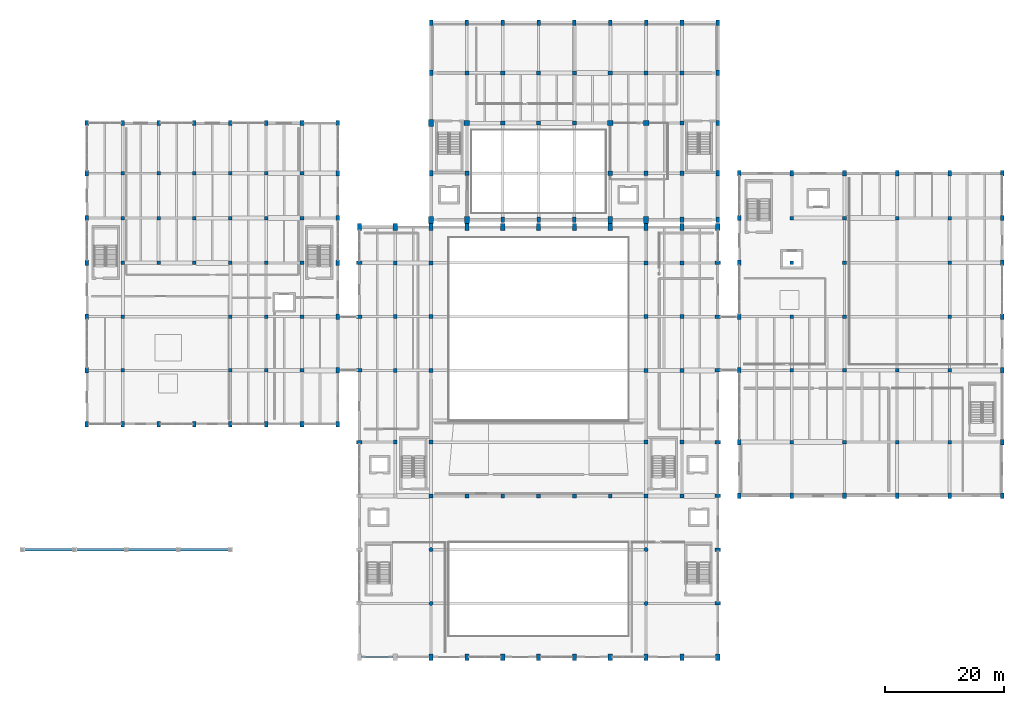
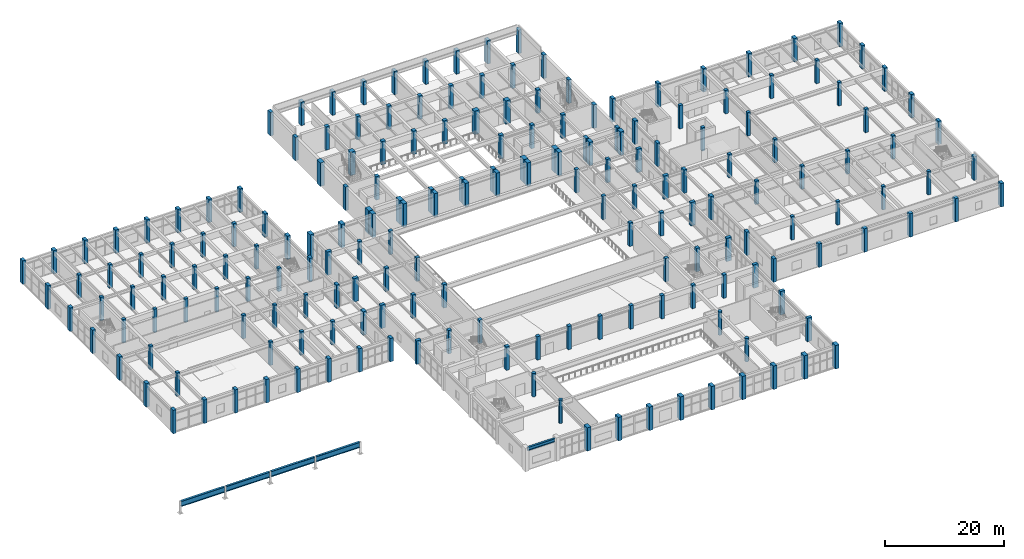
# One storey, part 3 of 85: 193 columns, 5 beams.
"""IFC4 building model written with IfcOpenShell, lengths in metres."""

from ifc_helpers import new_model, si_unit, direction, frame, origin, origin_2d, place, context, subcontext, project, spatial, rectangle, circle, i_section, extrude, material, material_profile, profile_set, type_object, element, save


model = new_model("IFC4")

# Units and contexts
model_context = context("Model", 3, precision=1e-05, world=origin(), true_north=direction((0.0, 1.0)))
body_context = subcontext(model_context, "Body", "Model", "MODEL_VIEW")
ifc_project = project(units=[si_unit("LENGTHUNIT", "METRE"), si_unit("AREAUNIT", "SQUARE_METRE"), si_unit("VOLUMEUNIT", "CUBIC_METRE"), si_unit("PLANEANGLEUNIT", "RADIAN"), si_unit("MASSUNIT", "GRAM", prefix="KILO")], contexts=[model_context])

# Site, building, storey
site_placement = place(None, origin())
site = spatial("IfcSite", under=ifc_project, at=site_placement, CompositionType="ELEMENT")
building_placement = place(site_placement, origin())
building = spatial("IfcBuilding", under=site, at=building_placement, Name="Vaelkrest Opera House", CompositionType="ELEMENT")
storey_placement = place(building_placement, frame((0.0, 0.0, 10.199951171875)))
storey = spatial("IfcBuildingStorey", under=building, at=storey_placement, Name="L02", CompositionType="ELEMENT", Elevation=10.199951171875)

# Columns
ifc_material_1 = material(Name="Concrete C50/60", Category="concrete")
ifc_material_profile_1 = material_profile(ifc_material_1, rectangle(XDim=0.60009765625, YDim=0.60009765625, at=origin_2d()), Name="RC600X600")
ifc_profile_set_1 = profile_set([ifc_material_profile_1], Name="Concrete C50/60")
column_type_1 = type_object("IfcColumnType", Name="C02", PredefinedType="COLUMN", material=ifc_profile_set_1)
for number, where, z_axis, x_axis, name in (
    (1, (-69.60009765625, -7.800048828125, 0.0), (0.0, 0.0, 1.0), (1.0, 0.0, 0.0), "Column COL-V3-L02-1004"),
    (2, (-69.60009765625, 1.199951171875, 0.0), (0.0, 0.0, 1.0), (1.0, 0.0, 0.0), "Column COL-V3-L02-1005"),
    (3, (-69.60009765625, 10.199951171875, 0.0), (0.0, 0.0, 1.0), (1.0, 0.0, 0.0), "Column COL-V3-L02-1006"),
    (4, (-69.60009765625, 17.699951171875, 0.0), (0.0, 0.0, 1.0), (1.0, 0.0, 0.0), "Column COL-V3-L02-1007"),
    (5, (-69.60009765625, 25.199951171875, 0.0), (0.0, 0.0, 1.0), (1.0, 0.0, 0.0), "Column COL-V3-L02-1008"),
    (6, (-63.60009765625, 10.199951171875, 0.0), (0.0, 0.0, 1.0), (1.0, 0.0, 0.0), "Column COL-V3-L02-1011"),
    (7, (-63.60009765625, 17.699951171875, 0.0), (0.0, 0.0, 1.0), (1.0, 0.0, 0.0), "Column COL-V3-L02-1012"),
    (8, (-63.60009765625, 25.199951171875, 0.0), (0.0, 0.0, 1.0), (1.0, 0.0, 0.0), "Column COL-V3-L02-1013"),
    (9, (-57.60009765625, 10.199951171875, 0.0), (0.0, 0.0, 1.0), (1.0, 0.0, 0.0), "Column COL-V3-L02-1016"),
    (10, (-57.60009765625, 17.699951171875, 0.0), (0.0, 0.0, 1.0), (1.0, 0.0, 0.0), "Column COL-V3-L02-1017"),
    (11, (-57.60009765625, 25.199951171875, 0.0), (0.0, 0.0, 1.0), (1.0, 0.0, 0.0), "Column COL-V3-L02-1018"),
    (12, (-51.60009765625, -7.800048828125, 0.0), (0.0, 0.0, 1.0), (1.0, 0.0, 0.0), "Column COL-V3-L02-1021"),
    (13, (-51.60009765625, 1.199951171875, 0.0), (0.0, 0.0, 1.0), (1.0, 0.0, 0.0), "Column COL-V3-L02-1022"),
    (14, (-51.60009765625, 10.199951171875, 0.0), (0.0, 0.0, 1.0), (1.0, 0.0, 0.0), "Column COL-V3-L02-1023"),
    (15, (-51.60009765625, 17.699951171875, 0.0), (0.0, 0.0, 1.0), (1.0, 0.0, 0.0), "Column COL-V3-L02-1024"),
    (16, (-51.60009765625, 25.199951171875, 0.0), (0.0, 0.0, 1.0), (1.0, 0.0, 0.0), "Column COL-V3-L02-1025"),
    (17, (-45.60009765625, -7.800048828125, 0.0), (0.0, 0.0, 1.0), (1.0, 0.0, 0.0), "Column COL-V3-L02-1028"),
    (18, (-45.60009765625, 1.199951171875, 0.0), (0.0, 0.0, 1.0), (1.0, 0.0, 0.0), "Column COL-V3-L02-1029"),
    (19, (-45.60009765625, 10.199951171875, 0.0), (0.0, 0.0, 1.0), (1.0, 0.0, 0.0), "Column COL-V3-L02-1030"),
    (20, (-45.60009765625, 17.699951171875, 0.0), (0.0, 0.0, 1.0), (1.0, 0.0, 0.0), "Column COL-V3-L02-1031"),
    (21, (-45.60009765625, 25.199951171875, 0.0), (0.0, 0.0, 1.0), (1.0, 0.0, 0.0), "Column COL-V3-L02-1032"),
    (22, (-39.60009765625, -7.800048828125, 0.0), (0.0, 0.0, 1.0), (1.0, 0.0, 0.0), "Column COL-V3-L02-1035"),
    (23, (-39.60009765625, 1.199951171875, 0.0), (0.0, 0.0, 1.0), (1.0, 0.0, 0.0), "Column COL-V3-L02-1036"),
    (24, (-39.60009765625, 10.199951171875, 0.0), (0.0, 0.0, 1.0), (1.0, 0.0, 0.0), "Column COL-V3-L02-1037"),
    (25, (-39.60009765625, 17.699951171875, 0.0), (0.0, 0.0, 1.0), (1.0, 0.0, 0.0), "Column COL-V3-L02-1038"),
    (26, (-39.60009765625, 25.199951171875, 0.0), (0.0, 0.0, 1.0), (1.0, 0.0, 0.0), "Column COL-V3-L02-1039"),
    (27, (42.39990234375, -19.800048828125, 0.0), (0.0, 0.0, 1.0), (1.0, 0.0, 0.0), "Column COL-V4-L02-1311"),
    (28, (42.39990234375, -7.800048828125, 0.0), (0.0, 0.0, 1.0), (1.0, 0.0, 0.0), "Column COL-V4-L02-1312"),
    (29, (42.39990234375, 1.199951171875, 0.0), (0.0, 0.0, 1.0), (1.0, 0.0, 0.0), "Column COL-V4-L02-1313"),
    (30, (42.39990234375, 10.199951171875, 0.0), (0.0, 0.0, 1.0), (1.0, 0.0, 0.0), "Column COL-V4-L02-1314"),
    (31, (42.39990234375, 17.699951171875, 0.0), (0.0, 0.0, 1.0), (1.0, 0.0, 0.0), "Column COL-V4-L02-1315"),
    (32, (51.199951171875, -19.800048828125, 0.0), (0.0, 0.0, 1.0), (1.0, 0.0, 0.0), "Column COL-V4-L02-1318"),
    (33, (51.199951171875, -7.800048828125, 0.0), (0.0, 0.0, 1.0), (1.0, 0.0, 0.0), "Column COL-V4-L02-1319"),
    (34, (51.199951171875, 1.199951171875, 0.0), (0.0, 0.0, 1.0), (1.0, 0.0, 0.0), "Column COL-V4-L02-1320"),
    (35, (51.199951171875, 10.199951171875, 0.0), (0.0, 0.0, 1.0), (1.0, 0.0, 0.0), "Column COL-V4-L02-1321"),
    (36, (51.199951171875, 17.699951171875, 0.0), (0.0, 0.0, 1.0), (1.0, 0.0, 0.0), "Column COL-V4-L02-1322"),
    (37, (60.0, -19.800048828125, 0.0), (0.0, 0.0, 1.0), (1.0, 0.0, 0.0), "Column COL-V4-L02-1325"),
    (38, (60.0, -7.800048828125, 0.0), (0.0, 0.0, 1.0), (1.0, 0.0, 0.0), "Column COL-V4-L02-1326"),
    (39, (60.0, 17.699951171875, 0.0), (0.0, 0.0, 1.0), (1.0, 0.0, 0.0), "Column COL-V4-L02-1327"),
    (40, (68.800048828125, -19.800048828125, 0.0), (0.0, 0.0, 1.0), (1.0, 0.0, 0.0), "Column COL-V4-L02-1330"),
    (41, (68.800048828125, -7.800048828125, 0.0), (0.0, 0.0, 1.0), (1.0, 0.0, 0.0), "Column COL-V4-L02-1331"),
    (42, (68.800048828125, 1.199951171875, 0.0), (0.0, 0.0, 1.0), (1.0, 0.0, 0.0), "Column COL-V4-L02-1332"),
    (43, (68.800048828125, 10.199951171875, 0.0), (0.0, 0.0, 1.0), (1.0, 0.0, 0.0), "Column COL-V4-L02-1333"),
    (44, (68.800048828125, 17.699951171875, 0.0), (0.0, 0.0, 1.0), (1.0, 0.0, 0.0), "Column COL-V4-L02-1334"),
):
    element("IfcColumn", number, at=place(storey_placement, frame(where, z_axis=z_axis, x_axis=x_axis)), inside=storey, type_object=column_type_1, Name=name, PredefinedType="COLUMN", context=body_context, shape_type="SweptSolid", body=[
        extrude(rectangle(XDim=0.60009765625, YDim=0.60009765625, at=origin_2d()), origin(), (0.0, 0.0, 1.0), 4.800048828125),
    ])
ifc_material_profile_2 = material_profile(ifc_material_1, rectangle(XDim=0.699951171875, YDim=0.699951171875, at=origin_2d()), Name="RC700X700")
ifc_profile_set_2 = profile_set([ifc_material_profile_2], Name="Concrete C50/60")
column_type_2 = type_object("IfcColumnType", Name="C03", PredefinedType="COLUMN", material=ifc_profile_set_2)
for number, where, z_axis, x_axis, name in (
    (45, (-12.0, 25.199951171875, 0.0), (0.0, 0.0, 1.0), (1.0, 0.0, 0.0), "Column COL-V2-L02-0623"),
    (46, (-12.0, 42.0, 0.0), (0.0, 0.0, 1.0), (1.0, 0.0, 0.0), "Column COL-V2-L02-0625"),
    (47, (-6.0, 33.60009765625, 0.0), (0.0, 0.0, 1.0), (1.0, 0.0, 0.0), "Column COL-V2-L02-0628"),
    (48, (-6.0, 42.0, 0.0), (0.0, 0.0, 1.0), (1.0, 0.0, 0.0), "Column COL-V2-L02-0629"),
    (49, (0.0, 33.60009765625, 0.0), (0.0, 0.0, 1.0), (1.0, 0.0, 0.0), "Column COL-V2-L02-0632"),
    (50, (0.0, 42.0, 0.0), (0.0, 0.0, 1.0), (1.0, 0.0, 0.0), "Column COL-V2-L02-0633"),
    (51, (6.0, 33.60009765625, 0.0), (0.0, 0.0, 1.0), (1.0, 0.0, 0.0), "Column COL-V2-L02-0636"),
    (52, (6.0, 42.0, 0.0), (0.0, 0.0, 1.0), (1.0, 0.0, 0.0), "Column COL-V2-L02-0637"),
    (53, (12.0, 25.199951171875, 0.0), (0.0, 0.0, 1.0), (1.0, 0.0, 0.0), "Column COL-V2-L02-0640"),
    (54, (12.0, 42.0, 0.0), (0.0, 0.0, 1.0), (1.0, 0.0, 0.0), "Column COL-V2-L02-0642"),
    (55, (18.0, 25.199951171875, 0.0), (0.0, 0.0, 1.0), (1.0, 0.0, 0.0), "Column COL-V2-L02-0645"),
    (56, (18.0, 42.0, 0.0), (0.0, 0.0, 1.0), (1.0, 0.0, 0.0), "Column COL-V2-L02-0647"),
    (57, (24.0, 25.199951171875, 0.0), (0.0, 0.0, 1.0), (1.0, 0.0, 0.0), "Column COL-V2-L02-0650"),
    (58, (24.0, 33.60009765625, 0.0), (0.0, 0.0, 1.0), (1.0, 0.0, 0.0), "Column COL-V2-L02-0651"),
    (59, (24.0, 42.0, 0.0), (0.0, 0.0, 1.0), (1.0, 0.0, 0.0), "Column COL-V2-L02-0652"),
):
    element("IfcColumn", number, at=place(storey_placement, frame(where, z_axis=z_axis, x_axis=x_axis)), inside=storey, type_object=column_type_2, Name=name, PredefinedType="COLUMN", context=body_context, shape_type="SweptSolid", body=[
        extrude(rectangle(XDim=0.699951171875, YDim=0.699951171875, at=origin_2d()), origin(), (0.0, 0.0, 1.0), 4.800048828125),
    ])
ifc_material_profile_3 = material_profile(ifc_material_1, rectangle(XDim=0.89990234375, YDim=0.89990234375, at=origin_2d()), Name="RC900X900")
ifc_profile_set_3 = profile_set([ifc_material_profile_3], Name="Concrete C50/60")
column_type_3 = type_object("IfcColumnType", Name="C05", PredefinedType="COLUMN", material=ifc_profile_set_3)
for number, where, z_axis, x_axis, name in (
    (60, (-12.0, 33.60009765625, 0.0), (0.0, 0.0, 1.0), (1.0, 0.0, 0.0), "Column COL-V2-L02-0624"),
    (61, (12.0, 33.60009765625, 0.0), (0.0, 0.0, 1.0), (1.0, 0.0, 0.0), "Column COL-V2-L02-0641"),
    (62, (18.0, 33.60009765625, 0.0), (0.0, 0.0, 1.0), (1.0, 0.0, 0.0), "Column COL-V2-L02-0646"),
):
    element("IfcColumn", number, at=place(storey_placement, frame(where, z_axis=z_axis, x_axis=x_axis)), inside=storey, type_object=column_type_3, Name=name, PredefinedType="COLUMN", context=body_context, shape_type="SweptSolid", body=[
        extrude(rectangle(XDim=0.89990234375, YDim=0.89990234375, at=origin_2d()), origin(), (0.0, 0.0, 1.0), 4.800048828125),
    ])
ifc_material_profile_4 = material_profile(ifc_material_1, rectangle(XDim=0.60009765625, YDim=0.89990234375, at=origin_2d()), Name="RC600X900")
ifc_profile_set_4 = profile_set([ifc_material_profile_4], Name="Concrete C50/60")
column_type_4 = type_object("IfcColumnType", Name="C06", PredefinedType="COLUMN", material=ifc_profile_set_4)
for number, where, z_axis, x_axis, name in (
    (63, (-30.0, -19.800048828125, 0.0), (0.0, 0.0, 1.0), (0.0, 1.0, 0.0), "Column COL-V1-L02-0208"),
    (64, (-30.0, -7.800048828125, 0.0), (0.0, 0.0, 1.0), (0.0, 1.0, 0.0), "Column COL-V1-L02-0209"),
    (65, (-30.0, 1.199951171875, 0.0), (0.0, 0.0, 1.0), (0.0, 1.0, 0.0), "Column COL-V1-L02-0210"),
    (66, (-30.0, 10.199951171875, 0.0), (0.0, 0.0, 1.0), (0.0, 1.0, 0.0), "Column COL-V1-L02-0211"),
    (67, (30.0, -46.800048828125, 0.0), (0.0, 0.0, 1.0), (0.0, 1.0, 0.0), "Column COL-V1-L02-0261"),
    (68, (30.0, -37.800048828125, 0.0), (0.0, 0.0, 1.0), (0.0, 1.0, 0.0), "Column COL-V1-L02-0262"),
    (69, (30.0, -28.800048828125, 0.0), (0.0, 0.0, 1.0), (0.0, 1.0, 0.0), "Column COL-V1-L02-0263"),
    (70, (30.0, -19.800048828125, 0.0), (0.0, 0.0, 1.0), (0.0, 1.0, 0.0), "Column COL-V1-L02-0264"),
    (71, (30.0, -7.800048828125, 0.0), (0.0, 0.0, 1.0), (0.0, 1.0, 0.0), "Column COL-V1-L02-0265"),
    (72, (30.0, 1.199951171875, 0.0), (0.0, 0.0, 1.0), (0.0, 1.0, 0.0), "Column COL-V1-L02-0266"),
    (73, (30.0, 10.199951171875, 0.0), (0.0, 0.0, 1.0), (0.0, 1.0, 0.0), "Column COL-V1-L02-0267"),
    (74, (-18.0, 25.199951171875, 0.0), (0.0, 0.0, 1.0), (1.0, 0.0, 0.0), "Column COL-V2-L02-0618"),
    (75, (-18.0, 42.0, 0.0), (0.0, 0.0, 1.0), (1.0, 0.0, 0.0), "Column COL-V2-L02-0620"),
    (76, (-18.0, 50.39990234375, 0.0), (0.0, 0.0, 1.0), (1.0, 0.0, 0.0), "Column COL-V2-L02-0621"),
    (77, (-12.0, 50.39990234375, 0.0), (0.0, 0.0, 1.0), (1.0, 0.0, 0.0), "Column COL-V2-L02-0626"),
    (78, (-6.0, 17.39990234375, 0.0), (0.0, 0.0, 1.0), (1.0, 0.0, 0.0), "Column COL-V2-L02-0627"),
    (79, (-6.0, 50.39990234375, 0.0), (0.0, 0.0, 1.0), (1.0, 0.0, 0.0), "Column COL-V2-L02-0630"),
    (80, (0.0, 17.39990234375, 0.0), (0.0, 0.0, 1.0), (1.0, 0.0, 0.0), "Column COL-V2-L02-0631"),
    (81, (0.0, 50.39990234375, 0.0), (0.0, 0.0, 1.0), (1.0, 0.0, 0.0), "Column COL-V2-L02-0634"),
    (82, (6.0, 17.39990234375, 0.0), (0.0, 0.0, 1.0), (1.0, 0.0, 0.0), "Column COL-V2-L02-0635"),
    (83, (6.0, 50.39990234375, 0.0), (0.0, 0.0, 1.0), (1.0, 0.0, 0.0), "Column COL-V2-L02-0638"),
    (84, (12.0, 50.39990234375, 0.0), (0.0, 0.0, 1.0), (1.0, 0.0, 0.0), "Column COL-V2-L02-0643"),
    (85, (18.0, 50.39990234375, 0.0), (0.0, 0.0, 1.0), (1.0, 0.0, 0.0), "Column COL-V2-L02-0648"),
    (86, (24.0, 17.39990234375, 0.0), (0.0, 0.0, 1.0), (1.0, 0.0, 0.0), "Column COL-V2-L02-0649"),
    (87, (24.0, 50.39990234375, 0.0), (0.0, 0.0, 1.0), (1.0, 0.0, 0.0), "Column COL-V2-L02-0653"),
    (88, (30.0, 17.39990234375, 0.0), (0.0, 0.0, 1.0), (1.0, 0.0, 0.0), "Column COL-V2-L02-0654"),
    (89, (30.0, 25.199951171875, 0.0), (0.0, 0.0, 1.0), (1.0, 0.0, 0.0), "Column COL-V2-L02-0655"),
    (90, (30.0, 33.60009765625, 0.0), (0.0, 0.0, 1.0), (1.0, 0.0, 0.0), "Column COL-V2-L02-0656"),
    (91, (30.0, 42.0, 0.0), (0.0, 0.0, 1.0), (1.0, 0.0, 0.0), "Column COL-V2-L02-0657"),
    (92, (30.0, 50.39990234375, 0.0), (0.0, 0.0, 1.0), (1.0, 0.0, 0.0), "Column COL-V2-L02-0658"),
    (93, (-75.60009765625, -16.800048828125, 0.0), (0.0, 0.0, 1.0), (1.0, 0.0, 0.0), "Column COL-V3-L02-0996"),
    (94, (-75.60009765625, -7.800048828125, 0.0), (0.0, 0.0, 1.0), (1.0, 0.0, 0.0), "Column COL-V3-L02-0997"),
    (95, (-75.60009765625, 1.199951171875, 0.0), (0.0, 0.0, 1.0), (1.0, 0.0, 0.0), "Column COL-V3-L02-0998"),
    (96, (-75.60009765625, 10.199951171875, 0.0), (0.0, 0.0, 1.0), (1.0, 0.0, 0.0), "Column COL-V3-L02-0999"),
    (97, (-75.60009765625, 17.699951171875, 0.0), (0.0, 0.0, 1.0), (1.0, 0.0, 0.0), "Column COL-V3-L02-1000"),
    (98, (-75.60009765625, 25.199951171875, 0.0), (0.0, 0.0, 1.0), (1.0, 0.0, 0.0), "Column COL-V3-L02-1001"),
    (99, (-75.60009765625, 33.60009765625, 0.0), (0.0, 0.0, 1.0), (1.0, 0.0, 0.0), "Column COL-V3-L02-1002"),
    (100, (-69.60009765625, -16.800048828125, 0.0), (0.0, 0.0, 1.0), (1.0, 0.0, 0.0), "Column COL-V3-L02-1003"),
    (101, (-69.60009765625, 33.60009765625, 0.0), (0.0, 0.0, 1.0), (1.0, 0.0, 0.0), "Column COL-V3-L02-1009"),
    (102, (-63.60009765625, -16.800048828125, 0.0), (0.0, 0.0, 1.0), (1.0, 0.0, 0.0), "Column COL-V3-L02-1010"),
    (103, (-63.60009765625, 33.60009765625, 0.0), (0.0, 0.0, 1.0), (1.0, 0.0, 0.0), "Column COL-V3-L02-1014"),
    (104, (-57.60009765625, -16.800048828125, 0.0), (0.0, 0.0, 1.0), (1.0, 0.0, 0.0), "Column COL-V3-L02-1015"),
    (105, (-57.60009765625, 33.60009765625, 0.0), (0.0, 0.0, 1.0), (1.0, 0.0, 0.0), "Column COL-V3-L02-1019"),
    (106, (-51.60009765625, -16.800048828125, 0.0), (0.0, 0.0, 1.0), (1.0, 0.0, 0.0), "Column COL-V3-L02-1020"),
    (107, (-51.60009765625, 33.60009765625, 0.0), (0.0, 0.0, 1.0), (1.0, 0.0, 0.0), "Column COL-V3-L02-1026"),
    (108, (-45.60009765625, -16.800048828125, 0.0), (0.0, 0.0, 1.0), (1.0, 0.0, 0.0), "Column COL-V3-L02-1027"),
    (109, (-45.60009765625, 33.60009765625, 0.0), (0.0, 0.0, 1.0), (1.0, 0.0, 0.0), "Column COL-V3-L02-1033"),
    (110, (-39.60009765625, -16.800048828125, 0.0), (0.0, 0.0, 1.0), (1.0, 0.0, 0.0), "Column COL-V3-L02-1034"),
    (111, (-39.60009765625, 33.60009765625, 0.0), (0.0, 0.0, 1.0), (1.0, 0.0, 0.0), "Column COL-V3-L02-1040"),
    (112, (-33.60009765625, -16.800048828125, 0.0), (0.0, 0.0, 1.0), (1.0, 0.0, 0.0), "Column COL-V3-L02-1041"),
    (113, (-33.60009765625, -7.800048828125, 0.0), (0.0, 0.0, 1.0), (1.0, 0.0, 0.0), "Column COL-V3-L02-1042"),
    (114, (-33.60009765625, 1.199951171875, 0.0), (0.0, 0.0, 1.0), (1.0, 0.0, 0.0), "Column COL-V3-L02-1043"),
    (115, (-33.60009765625, 10.199951171875, 0.0), (0.0, 0.0, 1.0), (1.0, 0.0, 0.0), "Column COL-V3-L02-1044"),
    (116, (-33.60009765625, 17.699951171875, 0.0), (0.0, 0.0, 1.0), (1.0, 0.0, 0.0), "Column COL-V3-L02-1045"),
    (117, (-33.60009765625, 25.199951171875, 0.0), (0.0, 0.0, 1.0), (1.0, 0.0, 0.0), "Column COL-V3-L02-1046"),
    (118, (-33.60009765625, 33.60009765625, 0.0), (0.0, 0.0, 1.0), (1.0, 0.0, 0.0), "Column COL-V3-L02-1047"),
    (119, (33.60009765625, -28.800048828125, 0.0), (0.0, 0.0, 1.0), (1.0, 0.0, 0.0), "Column COL-V4-L02-1303"),
    (120, (33.60009765625, -19.800048828125, 0.0), (0.0, 0.0, 1.0), (1.0, 0.0, 0.0), "Column COL-V4-L02-1304"),
    (121, (33.60009765625, -7.800048828125, 0.0), (0.0, 0.0, 1.0), (1.0, 0.0, 0.0), "Column COL-V4-L02-1305"),
    (122, (33.60009765625, 1.199951171875, 0.0), (0.0, 0.0, 1.0), (1.0, 0.0, 0.0), "Column COL-V4-L02-1306"),
    (123, (33.60009765625, 10.199951171875, 0.0), (0.0, 0.0, 1.0), (1.0, 0.0, 0.0), "Column COL-V4-L02-1307"),
    (124, (33.60009765625, 17.699951171875, 0.0), (0.0, 0.0, 1.0), (1.0, 0.0, 0.0), "Column COL-V4-L02-1308"),
    (125, (33.60009765625, 25.199951171875, 0.0), (0.0, 0.0, 1.0), (1.0, 0.0, 0.0), "Column COL-V4-L02-1309"),
    (126, (42.39990234375, -28.800048828125, 0.0), (0.0, 0.0, 1.0), (1.0, 0.0, 0.0), "Column COL-V4-L02-1310"),
    (127, (42.39990234375, 25.199951171875, 0.0), (0.0, 0.0, 1.0), (1.0, 0.0, 0.0), "Column COL-V4-L02-1316"),
    (128, (51.199951171875, -28.800048828125, 0.0), (0.0, 0.0, 1.0), (1.0, 0.0, 0.0), "Column COL-V4-L02-1317"),
    (129, (51.199951171875, 25.199951171875, 0.0), (0.0, 0.0, 1.0), (1.0, 0.0, 0.0), "Column COL-V4-L02-1323"),
    (130, (60.0, -28.800048828125, 0.0), (0.0, 0.0, 1.0), (1.0, 0.0, 0.0), "Column COL-V4-L02-1324"),
    (131, (60.0, 25.199951171875, 0.0), (0.0, 0.0, 1.0), (1.0, 0.0, 0.0), "Column COL-V4-L02-1328"),
    (132, (68.800048828125, -28.800048828125, 0.0), (0.0, 0.0, 1.0), (1.0, 0.0, 0.0), "Column COL-V4-L02-1329"),
    (133, (68.800048828125, 25.199951171875, 0.0), (0.0, 0.0, 1.0), (1.0, 0.0, 0.0), "Column COL-V4-L02-1335"),
    (134, (77.60009765625, -28.800048828125, 0.0), (0.0, 0.0, 1.0), (1.0, 0.0, 0.0), "Column COL-V4-L02-1336"),
    (135, (77.60009765625, -19.800048828125, 0.0), (0.0, 0.0, 1.0), (1.0, 0.0, 0.0), "Column COL-V4-L02-1337"),
    (136, (77.60009765625, -7.800048828125, 0.0), (0.0, 0.0, 1.0), (1.0, 0.0, 0.0), "Column COL-V4-L02-1338"),
    (137, (77.60009765625, 1.199951171875, 0.0), (0.0, 0.0, 1.0), (1.0, 0.0, 0.0), "Column COL-V4-L02-1339"),
    (138, (77.60009765625, 10.199951171875, 0.0), (0.0, 0.0, 1.0), (1.0, 0.0, 0.0), "Column COL-V4-L02-1340"),
    (139, (77.60009765625, 17.699951171875, 0.0), (0.0, 0.0, 1.0), (1.0, 0.0, 0.0), "Column COL-V4-L02-1341"),
    (140, (77.60009765625, 25.199951171875, 0.0), (0.0, 0.0, 1.0), (1.0, 0.0, 0.0), "Column COL-V4-L02-1342"),
):
    element("IfcColumn", number, at=place(storey_placement, frame(where, z_axis=z_axis, x_axis=x_axis)), inside=storey, type_object=column_type_4, Name=name, PredefinedType="COLUMN", context=body_context, shape_type="SweptSolid", body=[
        extrude(rectangle(XDim=0.60009765625, YDim=0.89990234375, at=origin_2d()), origin(), (0.0, 0.0, 1.0), 4.800048828125),
    ])
ifc_material_profile_5 = material_profile(ifc_material_1, rectangle(XDim=0.699951171875, YDim=1.10009765625, at=origin_2d()), Name="RC700X1100")
ifc_profile_set_5 = profile_set([ifc_material_profile_5], Name="Concrete C50/60")
column_type_5 = type_object("IfcColumnType", Name="C07", PredefinedType="COLUMN", material=ifc_profile_set_5)
for number, where, z_axis, x_axis, name in (
    (141, (-30.0, 16.199951171875, 0.0), (0.0, 0.0, 1.0), (1.0, 0.0, 0.0), "Column COL-V1-L02-0212"),
    (142, (-24.0, 16.199951171875, 0.0), (0.0, 0.0, 1.0), (1.0, 0.0, 0.0), "Column COL-V1-L02-0219"),
    (143, (-18.0, -55.800048828125, 0.0), (0.0, 0.0, 1.0), (1.0, 0.0, 0.0), "Column COL-V1-L02-0220"),
    (144, (-18.0, 16.199951171875, 0.0), (0.0, 0.0, 1.0), (1.0, 0.0, 0.0), "Column COL-V1-L02-0228"),
    (145, (-12.0, -55.800048828125, 0.0), (0.0, 0.0, 1.0), (1.0, 0.0, 0.0), "Column COL-V1-L02-0229"),
    (146, (-12.0, 16.199951171875, 0.0), (0.0, 0.0, 1.0), (1.0, 0.0, 0.0), "Column COL-V1-L02-0231"),
    (147, (-6.0, -55.800048828125, 0.0), (0.0, 0.0, 1.0), (1.0, 0.0, 0.0), "Column COL-V1-L02-0232"),
    (148, (-6.0, 16.199951171875, 0.0), (0.0, 0.0, 1.0), (1.0, 0.0, 0.0), "Column COL-V1-L02-0234"),
    (149, (0.0, -55.800048828125, 0.0), (0.0, 0.0, 1.0), (1.0, 0.0, 0.0), "Column COL-V1-L02-0235"),
    (150, (0.0, 16.199951171875, 0.0), (0.0, 0.0, 1.0), (1.0, 0.0, 0.0), "Column COL-V1-L02-0237"),
    (151, (6.0, -55.800048828125, 0.0), (0.0, 0.0, 1.0), (1.0, 0.0, 0.0), "Column COL-V1-L02-0238"),
    (152, (6.0, 16.199951171875, 0.0), (0.0, 0.0, 1.0), (1.0, 0.0, 0.0), "Column COL-V1-L02-0240"),
    (153, (12.0, -55.800048828125, 0.0), (0.0, 0.0, 1.0), (1.0, 0.0, 0.0), "Column COL-V1-L02-0241"),
    (154, (12.0, 16.199951171875, 0.0), (0.0, 0.0, 1.0), (1.0, 0.0, 0.0), "Column COL-V1-L02-0243"),
    (155, (18.0, -55.800048828125, 0.0), (0.0, 0.0, 1.0), (1.0, 0.0, 0.0), "Column COL-V1-L02-0244"),
    (156, (18.0, 16.199951171875, 0.0), (0.0, 0.0, 1.0), (1.0, 0.0, 0.0), "Column COL-V1-L02-0252"),
    (157, (24.0, -55.800048828125, 0.0), (0.0, 0.0, 1.0), (1.0, 0.0, 0.0), "Column COL-V1-L02-0253"),
    (158, (24.0, 16.199951171875, 0.0), (0.0, 0.0, 1.0), (1.0, 0.0, 0.0), "Column COL-V1-L02-0259"),
    (159, (30.0, -55.800048828125, 0.0), (0.0, 0.0, 1.0), (1.0, 0.0, 0.0), "Column COL-V1-L02-0260"),
    (160, (30.0, 16.199951171875, 0.0), (0.0, 0.0, 1.0), (1.0, 0.0, 0.0), "Column COL-V1-L02-0268"),
):
    element("IfcColumn", number, at=place(storey_placement, frame(where, z_axis=z_axis, x_axis=x_axis)), inside=storey, type_object=column_type_5, Name=name, PredefinedType="COLUMN", context=body_context, shape_type="SweptSolid", body=[
        extrude(rectangle(XDim=0.699951171875, YDim=1.10009765625, at=origin_2d()), origin(), (0.0, 0.0, 1.0), 4.800048828125),
    ])
ifc_material_profile_6 = material_profile(ifc_material_1, rectangle(XDim=0.800048828125, YDim=1.199951171875, at=origin_2d()), Name="RC800X1200")
ifc_profile_set_6 = profile_set([ifc_material_profile_6], Name="Concrete C50/60")
column_type_6 = type_object("IfcColumnType", Name="C08", PredefinedType="COLUMN", material=ifc_profile_set_6)
for number, where, z_axis, x_axis, name in (
    (161, (-18.0, 17.39990234375, 0.0), (0.0, 0.0, 1.0), (1.0, 0.0, 0.0), "Column COL-V2-L02-0617"),
    (162, (-18.0, 33.60009765625, 0.0), (0.0, 0.0, 1.0), (1.0, 0.0, 0.0), "Column COL-V2-L02-0619"),
    (163, (-12.0, 17.39990234375, 0.0), (0.0, 0.0, 1.0), (1.0, 0.0, 0.0), "Column COL-V2-L02-0622"),
    (164, (12.0, 17.39990234375, 0.0), (0.0, 0.0, 1.0), (1.0, 0.0, 0.0), "Column COL-V2-L02-0639"),
    (165, (18.0, 17.39990234375, 0.0), (0.0, 0.0, 1.0), (1.0, 0.0, 0.0), "Column COL-V2-L02-0644"),
):
    element("IfcColumn", number, at=place(storey_placement, frame(where, z_axis=z_axis, x_axis=x_axis)), inside=storey, type_object=column_type_6, Name=name, PredefinedType="COLUMN", context=body_context, shape_type="SweptSolid", body=[
        extrude(rectangle(XDim=0.800048828125, YDim=1.199951171875, at=origin_2d()), origin(), (0.0, 0.0, 1.0), 4.800048828125),
    ])
ifc_material_profile_7 = material_profile(ifc_material_1, circle(Radius=0.35009765625, at=origin_2d()), Name="RCD700")
ifc_profile_set_7 = profile_set([ifc_material_profile_7], Name="Concrete C50/60")
column_type_7 = type_object("IfcColumnType", Name="C09", PredefinedType="COLUMN", material=ifc_profile_set_7)
for number, where, z_axis, x_axis, name in (
    (166, (-18.0, -46.800048828125, 0.0), (0.0, 0.0, 1.0), (1.0, 0.0, 0.0), "Column COL-V1-L02-0221"),
    (167, (-18.0, -37.800048828125, 0.0), (0.0, 0.0, 1.0), (1.0, 0.0, 0.0), "Column COL-V1-L02-0222"),
    (168, (18.0, -46.800048828125, 0.0), (0.0, 0.0, 1.0), (1.0, 0.0, 0.0), "Column COL-V1-L02-0245"),
    (169, (18.0, -37.800048828125, 0.0), (0.0, 0.0, 1.0), (1.0, 0.0, 0.0), "Column COL-V1-L02-0246"),
):
    element("IfcColumn", number, at=place(storey_placement, frame(where, z_axis=z_axis, x_axis=x_axis)), inside=storey, type_object=column_type_7, Name=name, PredefinedType="COLUMN", context=body_context, shape_type="SweptSolid", body=[
        extrude(circle(Radius=0.35009765625, at=origin_2d()), origin(), (0.0, 0.0, 1.0), 4.800048828125),
    ])
ifc_material_profile_8 = material_profile(ifc_material_1, rectangle(XDim=0.64990234375, YDim=0.64990234375, at=origin_2d()), Name="RC650X650")
ifc_profile_set_8 = profile_set([ifc_material_profile_8], Name="Concrete C50/60")
column_type_8 = type_object("IfcColumnType", Name="C14", PredefinedType="COLUMN", material=ifc_profile_set_8)
for number, where, z_axis, x_axis, name in (
    (170, (-24.0, -19.800048828125, 0.0), (0.0, 0.0, 1.0), (1.0, 0.0, 0.0), "Column COL-V1-L02-0215"),
    (171, (-24.0, -7.800048828125, 0.0), (0.0, 0.0, 1.0), (1.0, 0.0, 0.0), "Column COL-V1-L02-0216"),
    (172, (-24.0, 1.199951171875, 0.0), (0.0, 0.0, 1.0), (1.0, 0.0, 0.0), "Column COL-V1-L02-0217"),
    (173, (-24.0, 10.199951171875, 0.0), (0.0, 0.0, 1.0), (1.0, 0.0, 0.0), "Column COL-V1-L02-0218"),
    (174, (-18.0, -28.800048828125, 0.0), (0.0, 0.0, 1.0), (1.0, 0.0, 0.0), "Column COL-V1-L02-0223"),
    (175, (-18.0, -19.800048828125, 0.0), (0.0, 0.0, 1.0), (1.0, 0.0, 0.0), "Column COL-V1-L02-0224"),
    (176, (-18.0, -7.800048828125, 0.0), (0.0, 0.0, 1.0), (1.0, 0.0, 0.0), "Column COL-V1-L02-0225"),
    (177, (-18.0, 1.199951171875, 0.0), (0.0, 0.0, 1.0), (1.0, 0.0, 0.0), "Column COL-V1-L02-0226"),
    (178, (-18.0, 10.199951171875, 0.0), (0.0, 0.0, 1.0), (1.0, 0.0, 0.0), "Column COL-V1-L02-0227"),
    (179, (-12.0, -28.800048828125, 0.0), (0.0, 0.0, 1.0), (1.0, 0.0, 0.0), "Column COL-V1-L02-0230"),
    (180, (-6.0, -28.800048828125, 0.0), (0.0, 0.0, 1.0), (1.0, 0.0, 0.0), "Column COL-V1-L02-0233"),
    (181, (0.0, -28.800048828125, 0.0), (0.0, 0.0, 1.0), (1.0, 0.0, 0.0), "Column COL-V1-L02-0236"),
    (182, (6.0, -28.800048828125, 0.0), (0.0, 0.0, 1.0), (1.0, 0.0, 0.0), "Column COL-V1-L02-0239"),
    (183, (12.0, -28.800048828125, 0.0), (0.0, 0.0, 1.0), (1.0, 0.0, 0.0), "Column COL-V1-L02-0242"),
    (184, (18.0, -28.800048828125, 0.0), (0.0, 0.0, 1.0), (1.0, 0.0, 0.0), "Column COL-V1-L02-0247"),
    (185, (18.0, -19.800048828125, 0.0), (0.0, 0.0, 1.0), (1.0, 0.0, 0.0), "Column COL-V1-L02-0248"),
    (186, (18.0, -7.800048828125, 0.0), (0.0, 0.0, 1.0), (1.0, 0.0, 0.0), "Column COL-V1-L02-0249"),
    (187, (18.0, 1.199951171875, 0.0), (0.0, 0.0, 1.0), (1.0, 0.0, 0.0), "Column COL-V1-L02-0250"),
    (188, (18.0, 10.199951171875, 0.0), (0.0, 0.0, 1.0), (1.0, 0.0, 0.0), "Column COL-V1-L02-0251"),
    (189, (24.0, -28.800048828125, 0.0), (0.0, 0.0, 1.0), (1.0, 0.0, 0.0), "Column COL-V1-L02-0254"),
    (190, (24.0, -19.800048828125, 0.0), (0.0, 0.0, 1.0), (1.0, 0.0, 0.0), "Column COL-V1-L02-0255"),
    (191, (24.0, -7.800048828125, 0.0), (0.0, 0.0, 1.0), (1.0, 0.0, 0.0), "Column COL-V1-L02-0256"),
    (192, (24.0, 1.199951171875, 0.0), (0.0, 0.0, 1.0), (1.0, 0.0, 0.0), "Column COL-V1-L02-0257"),
    (193, (24.0, 10.199951171875, 0.0), (0.0, 0.0, 1.0), (1.0, 0.0, 0.0), "Column COL-V1-L02-0258"),
):
    element("IfcColumn", number, at=place(storey_placement, frame(where, z_axis=z_axis, x_axis=x_axis)), inside=storey, type_object=column_type_8, Name=name, PredefinedType="COLUMN", context=body_context, shape_type="SweptSolid", body=[
        extrude(rectangle(XDim=0.64990234375, YDim=0.64990234375, at=origin_2d()), origin(), (0.0, 0.0, 1.0), 4.800048828125),
    ])

# Beams
ifc_material_2 = material(Name="Steel A992 Gr50", Category="steel")
ifc_material_profile_9 = material_profile(ifc_material_2, i_section(OverallWidth=0.35498046875, OverallDepth=0.695068359375, WebThickness=0.015380859375, FlangeThickness=0.02490234375, at=origin_2d()), Name="W27X146")
ifc_profile_set_9 = profile_set([ifc_material_profile_9], Name="Steel A992 Gr50")
beam_type_1 = type_object("IfcBeamType", Name="SP02", PredefinedType="SPANDREL", material=ifc_profile_set_9)
beam_1_placement = place(storey_placement, frame((-29.64990234375, -55.800048828125, 4.157470703125), z_axis=(1.0, 0.0, 0.0), x_axis=(0.0, 1.0, 0.0)))
element("IfcBeam", 194, at=beam_1_placement, inside=storey, type_object=beam_type_1, Name="Beam BM-V1-L02-0313", PredefinedType="SPANDREL", context=body_context, shape_type="SweptSolid", body=[
    extrude(i_section(OverallWidth=0.35498046875, OverallDepth=0.695068359375, WebThickness=0.015380859375, FlangeThickness=0.02490234375, at=origin_2d()), origin(), (0.0, 0.0, 1.0), 5.2998046875),
])
ifc_material_profile_10 = material_profile(ifc_material_2, i_section(OverallWidth=0.405029296875, OverallDepth=1.117919921875, WebThickness=0.02587890625, FlangeThickness=0.044921875, at=origin_2d()), Name="W44X335")
ifc_profile_set_10 = profile_set([ifc_material_profile_10], Name="Steel A992 Gr50")
beam_type_2 = type_object("IfcBeamType", Name="SP05", PredefinedType="SPANDREL", material=ifc_profile_set_10)
beam_2_placement = place(storey_placement, frame((-86.239990234375, -37.800048828125, 1.87109375), z_axis=(1.0, 0.0, 0.0), x_axis=(0.0, 1.0, 0.0)))
element("IfcBeam", 195, at=beam_2_placement, inside=storey, type_object=beam_type_2, Name="Roof transfer ring girder V5-N-01", PredefinedType="SPANDREL", context=body_context, shape_type="SweptSolid", body=[
    extrude(i_section(OverallWidth=0.405029296875, OverallDepth=1.117919921875, WebThickness=0.02587890625, FlangeThickness=0.044921875, at=origin_2d()), origin(), (0.0, 0.0, 1.0), 8.3798828125),
])
for number, where, z_axis, x_axis, name in (
    (196, (-77.5400390625, -37.800048828125, 1.87109375), (1.0, 0.0, 0.0), (0.0, 1.0, 0.0), "Roof transfer ring girder V5-N-02"),
    (197, (-68.840087890625, -37.800048828125, 1.87109375), (1.0, 0.0, 0.0), (0.0, 1.0, 0.0), "Roof transfer ring girder V5-N-03"),
):
    element("IfcBeam", number, at=place(storey_placement, frame(where, z_axis=z_axis, x_axis=x_axis)), inside=storey, type_object=beam_type_2, Name=name, PredefinedType="SPANDREL", context=body_context, shape_type="SweptSolid", body=[
        extrude(i_section(OverallWidth=0.405029296875, OverallDepth=1.117919921875, WebThickness=0.02587890625, FlangeThickness=0.044921875, at=origin_2d()), origin(), (0.0, 0.0, 1.0), 8.380126953125),
    ])
beam_3_placement = place(storey_placement, frame((-60.139892578125, -37.800048828125, 1.87109375), z_axis=(1.0, 0.0, 0.0), x_axis=(0.0, 1.0, 0.0)))
element("IfcBeam", 198, at=beam_3_placement, inside=storey, type_object=beam_type_2, Name="Roof transfer ring girder V5-N-04", PredefinedType="SPANDREL", context=body_context, shape_type="SweptSolid", body=[
    extrude(i_section(OverallWidth=0.405029296875, OverallDepth=1.117919921875, WebThickness=0.02587890625, FlangeThickness=0.044921875, at=origin_2d()), origin(), (0.0, 0.0, 1.0), 8.3798828125),
])

save(model, "model.ifc")
